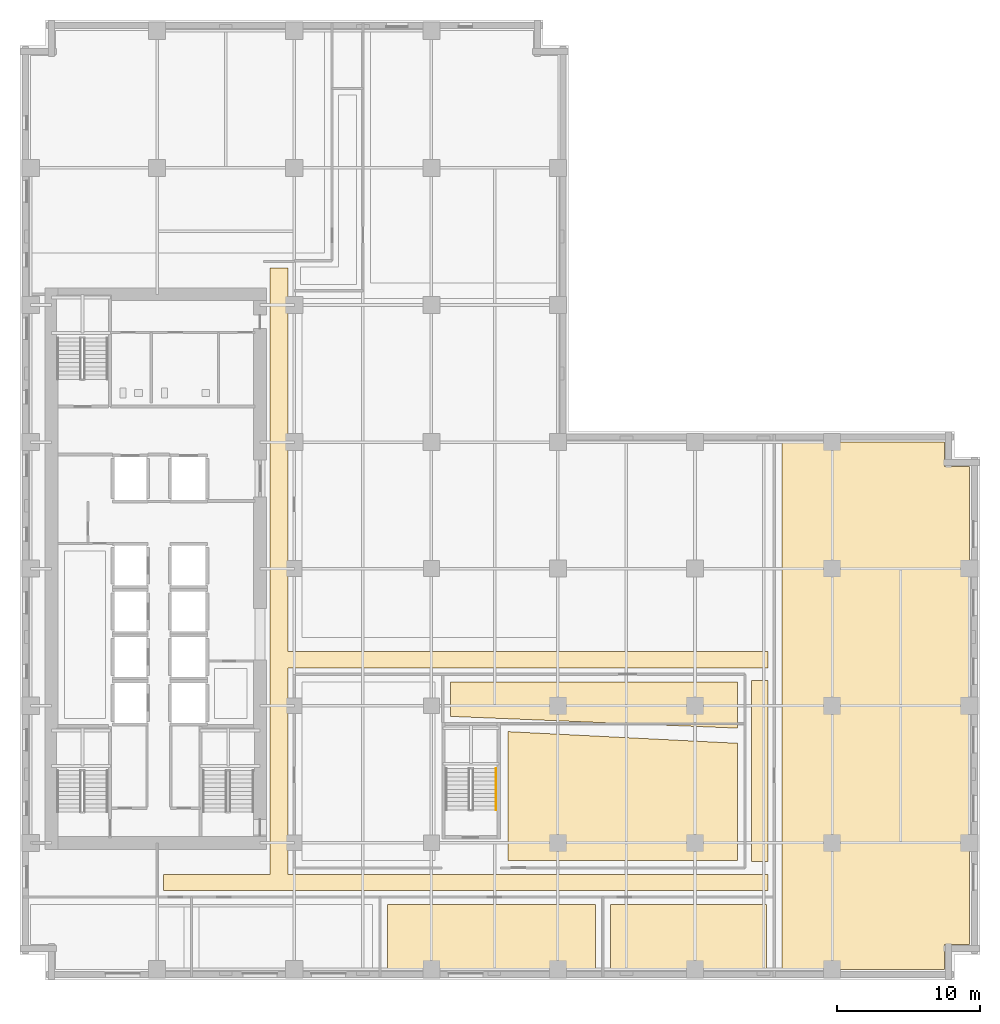
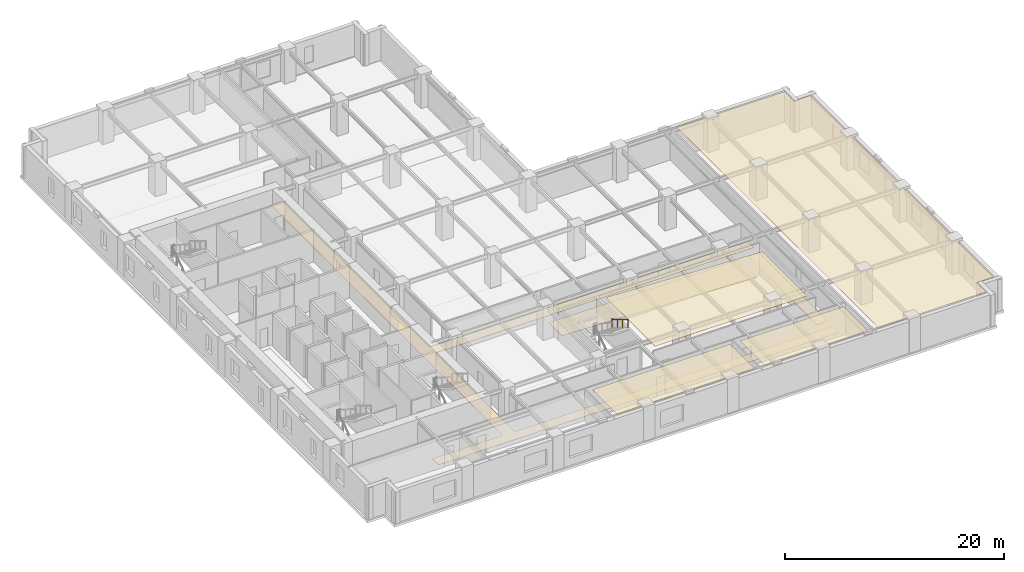
# One storey, part 10 of 13: 7 coverings, 1 railing.
"""IFC4 building model written with IfcOpenShell, lengths in metres."""

from ifc_helpers import new_model, si_unit, direction, frame, origin, origin_2d, place, context, subcontext, project, spatial, polyline, circle, outline, extrude, material, layer, layer_set, type_object, element, save


model = new_model("IFC4")

# Units and contexts
model_context = context("Model", 3, precision=1e-05, world=origin(), true_north=direction((0.0, 1.0)))
body_context = subcontext(model_context, "Body", "Model", "MODEL_VIEW")
ifc_project = project(units=[si_unit("LENGTHUNIT", "METRE"), si_unit("AREAUNIT", "SQUARE_METRE"), si_unit("VOLUMEUNIT", "CUBIC_METRE"), si_unit("PLANEANGLEUNIT", "RADIAN"), si_unit("MASSUNIT", "GRAM", prefix="KILO")], contexts=[model_context])

# Site, building, storey
site_placement = place(None, origin())
site = spatial("IfcSite", under=ifc_project, at=site_placement, CompositionType="ELEMENT")
building_placement = place(site_placement, origin())
building = spatial("IfcBuilding", under=site, at=building_placement, Name="Norrvale University Quadrangle", CompositionType="ELEMENT")
storey_placement = place(building_placement, frame((0.0, 0.0, 35.60009765625)))
storey = spatial("IfcBuildingStorey", under=building, at=storey_placement, Name="L08", CompositionType="ELEMENT", Elevation=35.60009765625)

# Coverings
ifc_material_1 = material(Name="Perforated Acoustic Mineral Ceiling")
ifc_layer_1 = layer(ifc_material_1, 0.02490234375, Name="Perforated Acoustic Mineral Ceiling")
ifc_layer_set_1 = layer_set([ifc_layer_1], Name="Perforated Acoustic Mineral Ceiling")
covering_type_1 = type_object("IfcCoveringType", Name="Covering Acoustic Ceiling 25", PredefinedType="CEILING", material=ifc_layer_set_1)
covering_1_placement = place(storey_placement, frame((0.0, 0.0, 3.514892578125)))
element("IfcCovering", 1, at=covering_1_placement, inside=storey, type_object=covering_type_1, Name="Acoustic Ceiling RM-L08-S03", PredefinedType="CEILING", context=body_context, shape_type="SweptSolid", body=[
    extrude(outline(polyline([(25.72998046875, 5.27001953125), (40.27001953125, 5.27001953125), (40.27001953125, 0.75), (25.72998046875, 0.75), (25.72998046875, 5.27001953125)])), origin(), (0.0, 0.0, 1.0), 0.02490234375),
])
covering_2_placement = place(storey_placement, frame((0.0, 0.0, 3.514892578125)))
element("IfcCovering", 2, at=covering_2_placement, inside=storey, type_object=covering_type_1, Name="Acoustic Ceiling RM-L08-S04", PredefinedType="CEILING", context=body_context, shape_type="SweptSolid", body=[
    extrude(outline(polyline([(41.330078125, 5.27001953125), (52.27001953125, 5.27001953125), (52.27001953125, 0.75), (41.330078125, 0.75), (41.330078125, 5.27001953125)])), origin(), (0.0, 0.0, 1.0), 0.02490234375),
])
covering_3_placement = place(storey_placement, frame((0.0, 0.0, 3.514892578125)))
element("IfcCovering", 3, at=covering_3_placement, inside=storey, type_object=covering_type_1, Name="Acoustic Ceiling RM-L08-E01", PredefinedType="CEILING", context=body_context, shape_type="SweptSolid", body=[
    extrude(outline(polyline([(53.330078125, 0.75), (53.330078125, 37.64990234375), (64.72998046875, 37.64990234375), (64.72998046875, 35.929931640625), (66.449951171875, 35.929931640625), (66.449951171875, 2.469970703125), (64.72998046875, 2.469970703125), (64.72998046875, 0.75), (53.330078125, 0.75)])), origin(), (0.0, 0.0, 1.0), 0.02490234375),
])
covering_4_placement = place(storey_placement, frame((0.0, 0.0, 3.514892578125)))
element("IfcCovering", 4, at=covering_4_placement, inside=storey, type_object=covering_type_1, Name="Acoustic Ceiling RM-L08-ISE", PredefinedType="CEILING", context=body_context, shape_type="SweptSolid", body=[
    extrude(outline(polyline([(34.14990234375, 8.3798828125), (34.14990234375, 17.386962890625), (50.219970703125, 16.572021484375), (50.219970703125, 8.3798828125), (34.14990234375, 8.3798828125)])), origin(), (0.0, 0.0, 1.0), 0.02490234375),
])
ifc_material_2 = material(Name="Polished Terrazzo Flooring")
ifc_layer_2 = layer(ifc_material_2, 0.02490234375, Name="Polished Terrazzo Flooring")
ifc_layer_set_2 = layer_set([ifc_layer_2], Name="Polished Terrazzo Flooring")
covering_type_2 = type_object("IfcCoveringType", Name="Covering Terrazzo Floor 30", PredefinedType="FLOORING", material=ifc_layer_set_2)
covering_5_placement = place(storey_placement, origin())
element("IfcCovering", 5, at=covering_5_placement, inside=storey, type_object=covering_type_2, Name="Terrazzo Flooring RM-L08-CORR1", PredefinedType="FLOORING", context=body_context, shape_type="SweptSolid", body=[
    extrude(outline(polyline([(10.050048828125, 6.25), (10.050048828125, 7.39990234375), (17.5, 7.39990234375), (17.5, 49.85009765625), (18.75, 49.85009765625), (18.75, 23.0), (52.35009765625, 23.0), (52.35009765625, 21.85009765625), (18.75, 21.85009765625), (18.75, 7.39990234375), (52.35009765625, 7.39990234375), (52.35009765625, 6.25), (10.050048828125, 6.25)])), origin(), (0.0, 0.0, 1.0), 0.02490234375),
])
covering_6_placement = place(storey_placement, origin())
element("IfcCovering", 6, at=covering_6_placement, inside=storey, type_object=covering_type_2, Name="Terrazzo Flooring RM-L08-CORR2", PredefinedType="FLOORING", context=body_context, shape_type="SweptSolid", body=[
    extrude(outline(polyline([(51.199951171875, 8.300048828125), (51.199951171875, 20.949951171875), (52.35009765625, 20.949951171875), (52.35009765625, 8.300048828125), (51.199951171875, 8.300048828125)])), origin(), (0.0, 0.0, 1.0), 0.02490234375),
])
covering_7_placement = place(storey_placement, origin())
element("IfcCovering", 7, at=covering_7_placement, inside=storey, type_object=covering_type_2, Name="Terrazzo Flooring RM-L08-ILH", PredefinedType="FLOORING", context=body_context, shape_type="SweptSolid", body=[
    extrude(outline(polyline([(30.1298828125, 18.451904296875), (30.1298828125, 20.8701171875), (50.219970703125, 20.8701171875), (50.219970703125, 17.62890625), (30.1298828125, 18.451904296875)])), origin(), (0.0, 0.0, 1.0), 0.02490234375),
])

# Railing
ifc_material_3 = material(Name="Stainless Steel 316L Handrail", Category="steel")
railing_type = type_object("IfcRailingType", Name="Railing Stair Handrail 920", PredefinedType="HANDRAIL", material=ifc_material_3)
railing_placement = place(storey_placement, frame((33.31005859375, 14.800048828125, 2.072509765625)))
element("IfcRailing", 8, at=railing_placement, inside=storey, type_object=railing_type, Name="Stair Upper Flight Handrail ST-04 L08", PredefinedType="HANDRAIL", context=body_context, shape_type="SweptSolid", body=[
    extrude(circle(Radius=0.02392578125, at=origin_2d()), frame((0.0, 0.0, 0.89599609375), z_axis=(0.0, -0.859160404282, 0.51170636083), x_axis=(1.0, 0.0, 0.0)), (0.0, 0.0, 1.0), 3.37548828125),
    extrude(circle(Radius=0.02099609375, at=origin_2d()), origin(), (0.0, 0.0, 1.0), 0.871826171875),
    extrude(circle(Radius=0.02099609375, at=origin_2d()), frame((0.0, -0.966796875, 0.57568359375)), (0.0, 0.0, 1.0), 0.871826171875),
    extrude(circle(Radius=0.02099609375, at=origin_2d()), frame((0.0, -1.933349609375, 1.151611328125)), (0.0, 0.0, 1.0), 0.871826171875),
    extrude(circle(Radius=0.02099609375, at=origin_2d()), frame((0.0, -2.900146484375, 1.727294921875)), (0.0, 0.0, 1.0), 0.871826171875),
])

save(model, "model.ifc")
